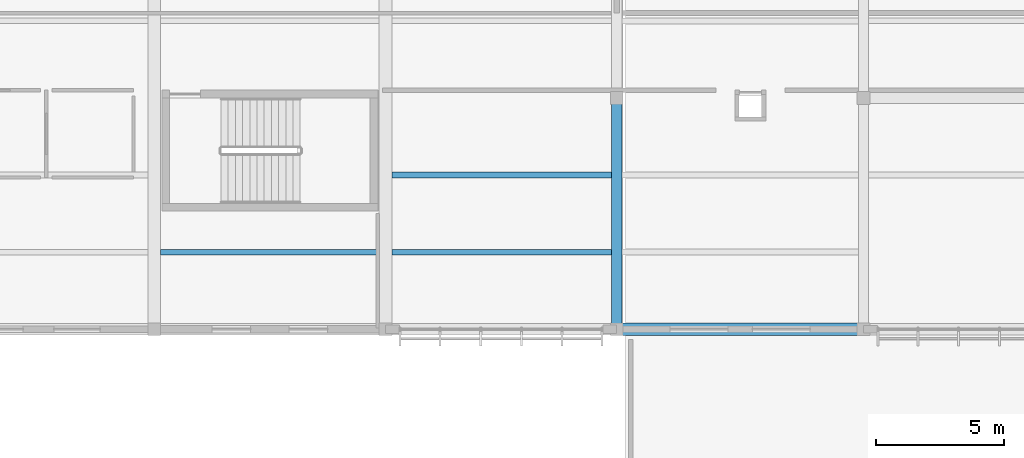
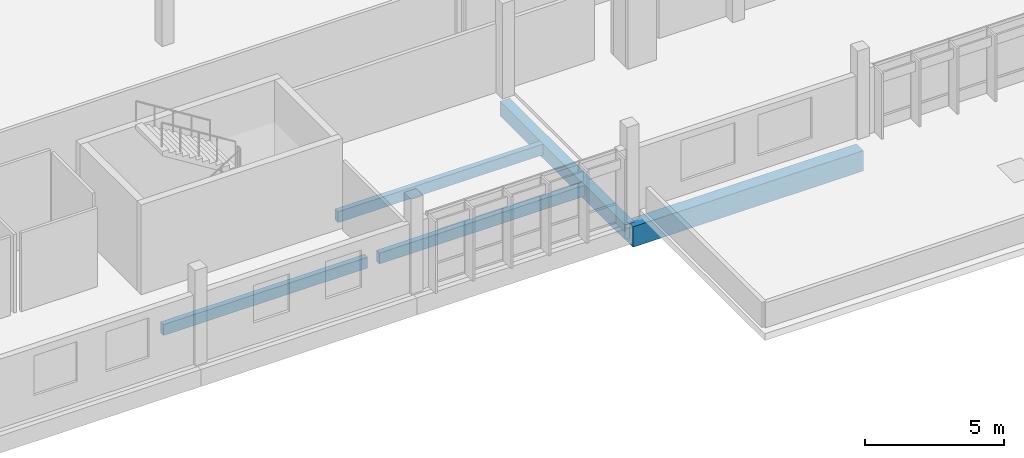
# One storey, part 44 of 107: 5 beams.
"""IFC4 building model written with IfcOpenShell, lengths in metres."""

from ifc_helpers import new_model, si_unit, direction, frame, origin, origin_2d, place, context, subcontext, project, spatial, rectangle, extrude, material, material_profile, profile_set, type_object, element, save


model = new_model("IFC4")

# Units and contexts
model_context = context("Model", 3, precision=1e-05, world=origin(), true_north=direction((0.0, 1.0)))
body_context = subcontext(model_context, "Body", "Model", "MODEL_VIEW")
ifc_project = project(units=[si_unit("LENGTHUNIT", "METRE"), si_unit("AREAUNIT", "SQUARE_METRE"), si_unit("VOLUMEUNIT", "CUBIC_METRE"), si_unit("PLANEANGLEUNIT", "RADIAN"), si_unit("MASSUNIT", "GRAM", prefix="KILO")], contexts=[model_context])

# Site, building, storey
site_placement = place(None, origin())
site = spatial("IfcSite", under=ifc_project, at=site_placement, CompositionType="ELEMENT")
building_placement = place(site_placement, origin())
building = spatial("IfcBuilding", under=site, at=building_placement, Name="Chiffa Square Polytechnic", CompositionType="ELEMENT")
storey_placement = place(building_placement, frame((0.0, 0.0, 13.800048828125)))
storey = spatial("IfcBuildingStorey", under=building, at=storey_placement, Name="L03", CompositionType="ELEMENT", Elevation=13.800048828125)

# Beams
ifc_material_1 = material(Name="Concrete C35/45", Category="concrete")
ifc_material_profile_1 = material_profile(ifc_material_1, rectangle(XDim=0.39990234375, YDim=0.64990234375, at=origin_2d()), Name="RC 400x650")
ifc_profile_set_1 = profile_set([ifc_material_profile_1], Name="Concrete C35/45")
beam_type_1 = type_object("IfcBeamType", Name="BM-RC-400X650", PredefinedType="BEAM", material=ifc_profile_set_1)
beam_1_placement = place(storey_placement, frame((111.60009765625, 103.800048828125, -0.5849609375), z_axis=(0.0, 1.0, 0.0), x_axis=(-1.0, 0.0, 0.0)))
element("IfcBeam", 1, at=beam_1_placement, inside=storey, type_object=beam_type_1, Name="Primary floor girder BM-V5-L03-Y-1116-1038", PredefinedType="BEAM", context=body_context, shape_type="SweptSolid", body=[
    extrude(rectangle(XDim=0.39990234375, YDim=0.64990234375, at=origin_2d()), origin(), (0.0, 0.0, 1.0), 9.0),
])
ifc_material_2 = material(Name="Concrete C40/50", Category="concrete")
ifc_material_profile_2 = material_profile(ifc_material_2, rectangle(XDim=0.5, YDim=0.89990234375, at=origin_2d()), Name="RC 500x900")
ifc_profile_set_2 = profile_set([ifc_material_profile_2], Name="Concrete C40/50")
beam_type_2 = type_object("IfcBeamType", Name="BM-RC-500X900", PredefinedType="BEAM", material=ifc_profile_set_2)
beam_2_placement = place(storey_placement, frame((111.60009765625, 103.800048828125, -0.7099609375), z_axis=(1.0, 0.0, 0.0), x_axis=(0.0, 1.0, 0.0)))
element("IfcBeam", 2, at=beam_2_placement, inside=storey, type_object=beam_type_2, Name="Primary floor girder BM-V5-L03-X-1116-1038", PredefinedType="BEAM", context=body_context, shape_type="SweptSolid", body=[
    extrude(rectangle(XDim=0.5, YDim=0.89990234375, at=origin_2d()), origin(), (0.0, 0.0, 1.0), 9.599853515625),
])
ifc_material_3 = material(Name="Glulam GL28h", Category="wood")
ifc_material_profile_3 = material_profile(ifc_material_3, rectangle(XDim=0.219970703125, YDim=0.47998046875, at=origin_2d()), Name="GL28h 220x480")
ifc_profile_set_3 = profile_set([ifc_material_profile_3], Name="Glulam GL28h")
beam_type_3 = type_object("IfcBeamType", Name="JST-GL-220X480", PredefinedType="JOIST", material=ifc_profile_set_3)
beam_3_placement = place(storey_placement, frame((93.847900390625, 106.800048828125, -0.5), z_axis=(1.0, 0.0, 0.0), x_axis=(0.0, 1.0, 0.0)))
element("IfcBeam", 3, at=beam_3_placement, inside=storey, type_object=beam_type_3, Name="Secondary floor joist JST-V5-L03-0936-1068", PredefinedType="JOIST", context=body_context, shape_type="SweptSolid", body=[
    extrude(rectangle(XDim=0.219970703125, YDim=0.47998046875, at=origin_2d()), origin(), (0.0, 0.0, 1.0), 8.504150390625),
])
for number, where, z_axis, x_axis, name in (
    (4, (102.847900390625, 106.800048828125, -0.5), (1.0, 0.0, 0.0), (0.0, 1.0, 0.0), "Secondary floor joist JST-V5-L03-1026-1068"),
    (5, (102.847900390625, 109.800048828125, -0.5), (1.0, 0.0, 0.0), (0.0, 1.0, 0.0), "Secondary floor joist JST-V5-L03-1026-1098"),
):
    element("IfcBeam", number, at=place(storey_placement, frame(where, z_axis=z_axis, x_axis=x_axis)), inside=storey, type_object=beam_type_3, Name=name, PredefinedType="JOIST", context=body_context, shape_type="SweptSolid", body=[
        extrude(rectangle(XDim=0.219970703125, YDim=0.47998046875, at=origin_2d()), origin(), (0.0, 0.0, 1.0), 8.55419921875),
    ])

save(model, "model.ifc")
